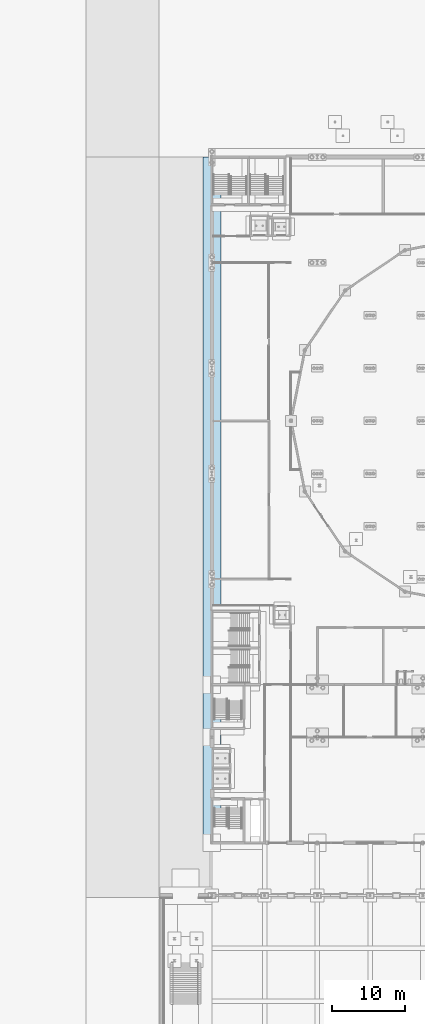
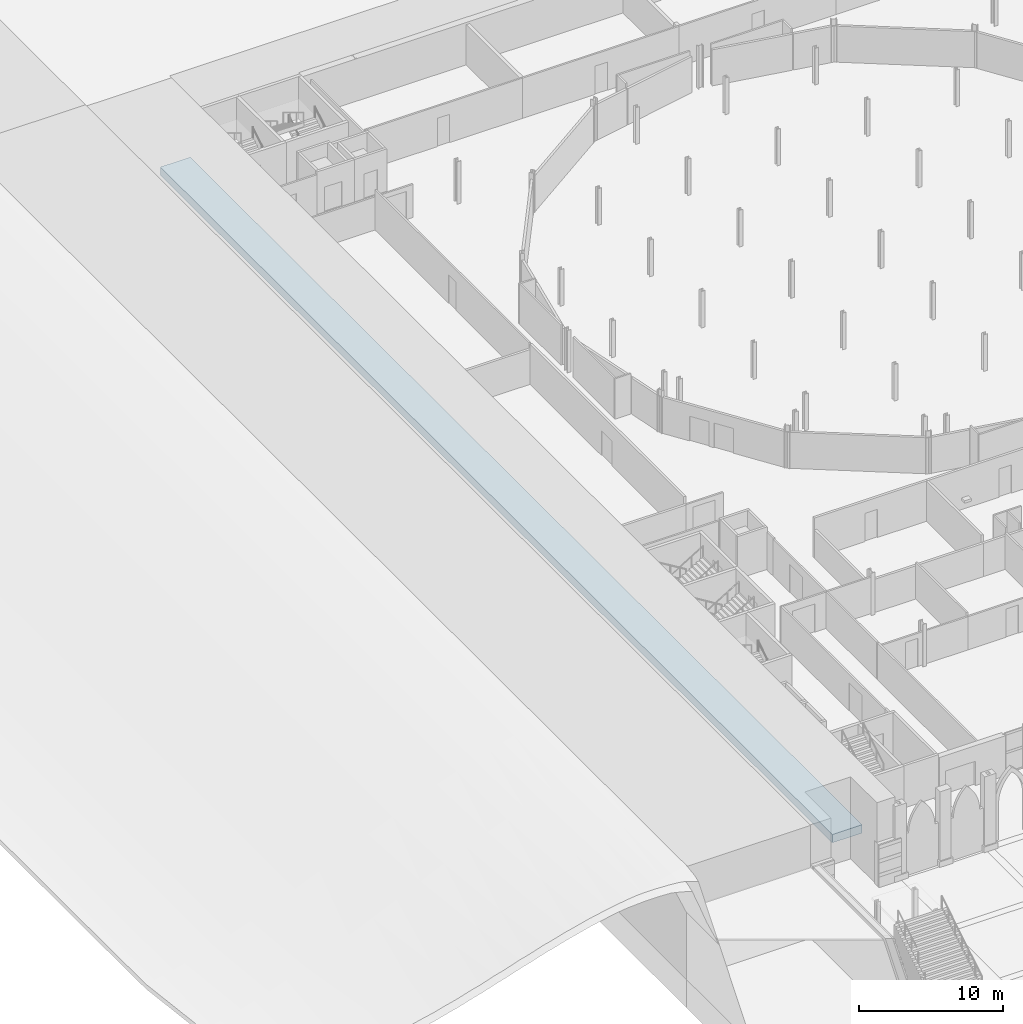
# One storey, part 6 of 148: 1 footing.
"""IFC4 building model written with IfcOpenShell, lengths in metres."""

from ifc_helpers import new_model, si_unit, direction, frame, origin, origin_2d, place, context, subcontext, project, spatial, rectangle, extrude, material, layer, layer_set, type_object, element, save


model = new_model("IFC4")

# Units and contexts
model_context = context("Model", 3, precision=1e-05, world=origin(), true_north=direction((0.0, 1.0)))
body_context = subcontext(model_context, "Body", "Model", "MODEL_VIEW")
ifc_project = project(units=[si_unit("LENGTHUNIT", "METRE"), si_unit("AREAUNIT", "SQUARE_METRE"), si_unit("VOLUMEUNIT", "CUBIC_METRE"), si_unit("PLANEANGLEUNIT", "RADIAN"), si_unit("MASSUNIT", "GRAM", prefix="KILO")], contexts=[model_context])

# Site, building, storey
site_placement = place(None, origin())
site = spatial("IfcSite", under=ifc_project, at=site_placement, CompositionType="ELEMENT")
building_placement = place(site_placement, origin())
building = spatial("IfcBuilding", under=site, at=building_placement, Name="Kupolbacken Congress Centre", CompositionType="ELEMENT")
storey_placement = place(building_placement, origin())
storey = spatial("IfcBuildingStorey", under=building, at=storey_placement, Name="L00", CompositionType="ELEMENT", Elevation=0.0)

# Footing
ifc_material = material(Name="Concrete C30/37", Category="concrete")
ifc_layer = layer(ifc_material, 0.699951171875)
ifc_layer_set = layer_set([ifc_layer], Name="Concrete C30/37")
footing_type = type_object("IfcFootingType", Name="SF3 strip footing 2.40 x 0.70 m", PredefinedType="STRIP_FOOTING", material=ifc_layer_set)
footing_placement = place(storey_placement, frame((7.22509765625, 75.60009765625, -1.0), z_axis=(0.0, 0.0, 1.0), x_axis=(0.0, 1.0, 0.0)))
element("IfcFooting", 1, at=footing_placement, inside=storey, type_object=footing_type, Name="S/fnd/buried/BF05", PredefinedType="STRIP_FOOTING", context=body_context, shape_type="SweptSolid", body=[
    extrude(rectangle(XDim=93.60009765625, YDim=2.39990234375, at=origin_2d()), origin(), (0.0, 0.0, 1.0), 0.699951171875),
])

save(model, "model.ifc")
